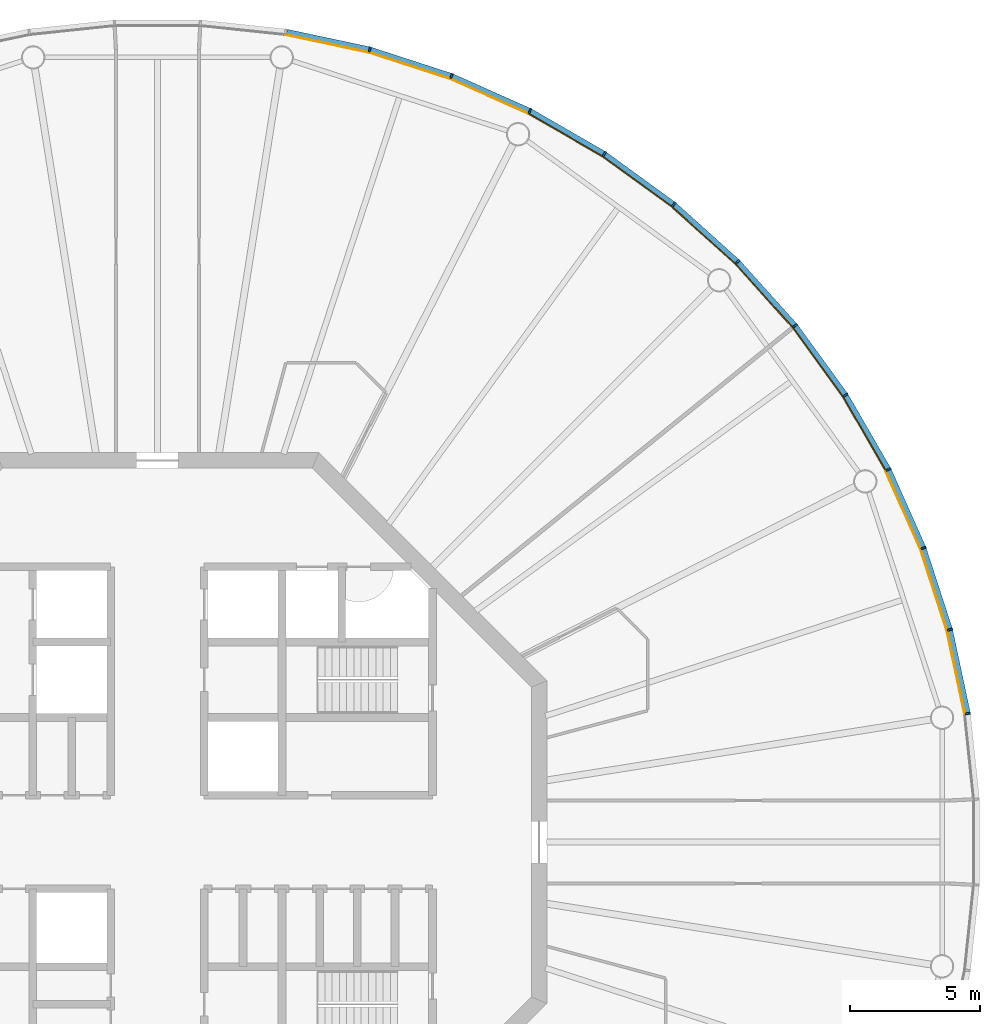
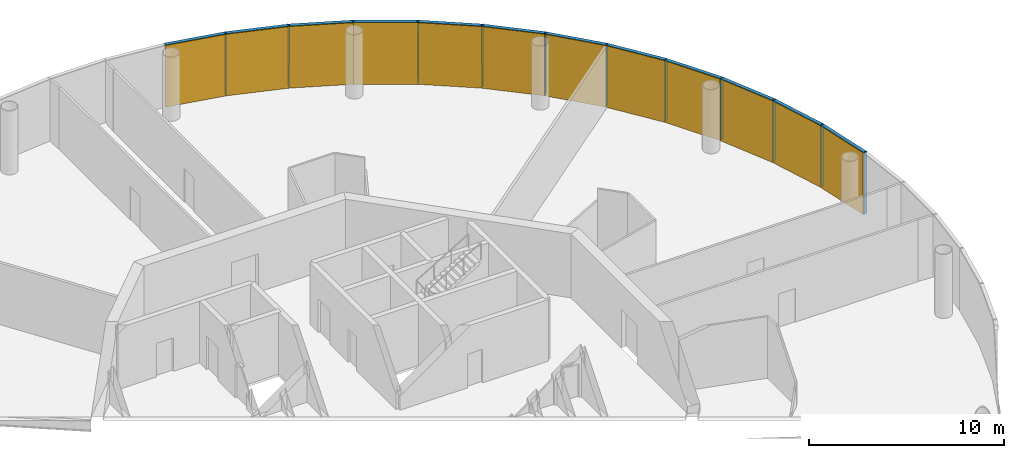
# One storey, part 12 of 13: 24 members, 4 curtain walls.
"""IFC4 building model written with IfcOpenShell, lengths in metres."""

from ifc_helpers import new_model, si_unit, direction, frame, origin, origin_2d, place, context, subcontext, project, spatial, polyline, rectangle, outline, extrude, material, layer, layer_set, material_profile, profile_set, type_object, element, aggregate, save


model = new_model("IFC4")

# Units and contexts
model_context = context("Model", 3, precision=1e-05, world=origin(), true_north=direction((0.0, 1.0)))
body_context = subcontext(model_context, "Body", "Model", "MODEL_VIEW")
ifc_project = project(units=[si_unit("LENGTHUNIT", "METRE"), si_unit("AREAUNIT", "SQUARE_METRE"), si_unit("VOLUMEUNIT", "CUBIC_METRE"), si_unit("PLANEANGLEUNIT", "RADIAN"), si_unit("MASSUNIT", "GRAM", prefix="KILO")], contexts=[model_context])

# Member
ifc_material_1 = material(Name="Anodised aluminium", Category="aluminium")
ifc_material_profile_1 = material_profile(ifc_material_1, rectangle(XDim=0.070068359375, YDim=0.205078125, at=origin_2d()), Name="Mullion 70 x 205 mm anodised aluminium")
ifc_profile_set_1 = profile_set([ifc_material_profile_1], Name="Anodised aluminium")
member_type_1 = type_object("IfcMemberType", Name="Mullion 70 x 205 mm anodised aluminium", PredefinedType="MULLION", material=ifc_profile_set_1)
site_placement = place(None, origin())
building_placement = place(site_placement, origin())
storey_placement = place(building_placement, frame((0.0, 0.0, 340.0)))
member_1_placement = place(storey_placement, frame((121.21337890625, 84.943603515625, 0.0), z_axis=(0.0, 0.0, 1.0), x_axis=(-0.15643446504, 0.987688340595, 0.0)))
member_1 = element("IfcMember", 1, at=member_1_placement, type_object=member_type_1, Name="MULLION L78-00", PredefinedType="MULLION", context=body_context, shape_type="SweptSolid", body=[
    extrude(rectangle(XDim=0.070068359375, YDim=0.205078125, at=origin_2d()), origin(), (0.0, 0.0, 1.0), 3.85009765625),
])

member_2_placement = place(storey_placement, frame((120.525634765625, 88.179443359375, 0.0), z_axis=(0.0, 0.0, 1.0), x_axis=(-0.258819045103, 0.965925826289, 0.0)))
member_2 = element("IfcMember", 2, at=member_2_placement, type_object=member_type_1, Name="MULLION L78-01", PredefinedType="MULLION", context=body_context, shape_type="SweptSolid", body=[
    extrude(rectangle(XDim=0.070068359375, YDim=0.205078125, at=origin_2d()), origin(), (0.0, 0.0, 1.0), 3.85009765625),
])

member_3_placement = place(storey_placement, frame((119.50341796875, 91.325439453125, 0.0), z_axis=(0.0, 0.0, 1.0), x_axis=(-0.358367949545, 0.933580426497, 0.0)))
member_3 = element("IfcMember", 3, at=member_3_placement, type_object=member_type_1, Name="MULLION L78-02", PredefinedType="MULLION", context=body_context, shape_type="SweptSolid", body=[
    extrude(rectangle(XDim=0.070068359375, YDim=0.205078125, at=origin_2d()), origin(), (0.0, 0.0, 1.0), 3.85009765625),
])

member_4_placement = place(storey_placement, frame((118.157958984375, 94.34716796875, 0.0), z_axis=(0.0, 0.0, 1.0), x_axis=(-0.45399049974, 0.891006524188, 0.0)))
member_4 = element("IfcMember", 4, at=member_4_placement, type_object=member_type_1, Name="MULLION L78-03", PredefinedType="MULLION", context=body_context, shape_type="SweptSolid", body=[
    extrude(rectangle(XDim=0.070068359375, YDim=0.205078125, at=origin_2d()), origin(), (0.0, 0.0, 1.0), 3.85009765625),
])

member_5_placement = place(storey_placement, frame((116.504150390625, 97.2119140625, 0.0), z_axis=(0.0, 0.0, 1.0), x_axis=(-0.544639035015, 0.838670567945, 0.0)))
member_5 = element("IfcMember", 5, at=member_5_placement, type_object=member_type_1, Name="MULLION L78-04", PredefinedType="MULLION", context=body_context, shape_type="SweptSolid", body=[
    extrude(rectangle(XDim=0.070068359375, YDim=0.205078125, at=origin_2d()), origin(), (0.0, 0.0, 1.0), 3.85009765625),
])

member_6_placement = place(storey_placement, frame((114.559814453125, 99.88818359375, 0.0), z_axis=(0.0, 0.0, 1.0), x_axis=(-0.62932039105, 0.777145961457, 0.0)))
member_6 = element("IfcMember", 6, at=member_6_placement, type_object=member_type_1, Name="MULLION L78-05", PredefinedType="MULLION", context=body_context, shape_type="SweptSolid", body=[
    extrude(rectangle(XDim=0.070068359375, YDim=0.205078125, at=origin_2d()), origin(), (0.0, 0.0, 1.0), 3.85009765625),
])

member_7_placement = place(storey_placement, frame((112.346435546875, 102.346435546875, 0.0), z_axis=(0.0, 0.0, 1.0), x_axis=(-0.707106781187, 0.707106781187, 0.0)))
member_7 = element("IfcMember", 7, at=member_7_placement, type_object=member_type_1, Name="MULLION L78-06", PredefinedType="MULLION", context=body_context, shape_type="SweptSolid", body=[
    extrude(rectangle(XDim=0.070068359375, YDim=0.205078125, at=origin_2d()), origin(), (0.0, 0.0, 1.0), 3.85009765625),
])

member_8_placement = place(storey_placement, frame((109.88818359375, 104.559814453125, 0.0), z_axis=(0.0, 0.0, 1.0), x_axis=(-0.777145961457, 0.62932039105, 0.0)))
member_8 = element("IfcMember", 8, at=member_8_placement, type_object=member_type_1, Name="MULLION L78-07", PredefinedType="MULLION", context=body_context, shape_type="SweptSolid", body=[
    extrude(rectangle(XDim=0.070068359375, YDim=0.205078125, at=origin_2d()), origin(), (0.0, 0.0, 1.0), 3.85009765625),
])

member_9_placement = place(storey_placement, frame((107.2119140625, 106.504150390625, 0.0), z_axis=(0.0, 0.0, 1.0), x_axis=(-0.838670567945, 0.544639035015, 0.0)))
member_9 = element("IfcMember", 9, at=member_9_placement, type_object=member_type_1, Name="MULLION L78-08", PredefinedType="MULLION", context=body_context, shape_type="SweptSolid", body=[
    extrude(rectangle(XDim=0.070068359375, YDim=0.205078125, at=origin_2d()), origin(), (0.0, 0.0, 1.0), 3.85009765625),
])

member_10_placement = place(storey_placement, frame((104.34716796875, 108.157958984375, 0.0), z_axis=(0.0, 0.0, 1.0), x_axis=(-0.891006524188, 0.45399049974, 0.0)))
member_10 = element("IfcMember", 10, at=member_10_placement, type_object=member_type_1, Name="MULLION L78-09", PredefinedType="MULLION", context=body_context, shape_type="SweptSolid", body=[
    extrude(rectangle(XDim=0.070068359375, YDim=0.205078125, at=origin_2d()), origin(), (0.0, 0.0, 1.0), 3.85009765625),
])

member_11_placement = place(storey_placement, frame((101.325439453125, 109.50341796875, 0.0), z_axis=(0.0, 0.0, 1.0), x_axis=(-0.933580426497, 0.358367949545, 0.0)))
member_11 = element("IfcMember", 11, at=member_11_placement, type_object=member_type_1, Name="MULLION L78-10", PredefinedType="MULLION", context=body_context, shape_type="SweptSolid", body=[
    extrude(rectangle(XDim=0.070068359375, YDim=0.205078125, at=origin_2d()), origin(), (0.0, 0.0, 1.0), 3.85009765625),
])

member_12_placement = place(storey_placement, frame((98.179443359375, 110.525634765625, 0.0), z_axis=(0.0, 0.0, 1.0), x_axis=(-0.965925826289, 0.258819045103, 0.0)))
member_12 = element("IfcMember", 12, at=member_12_placement, type_object=member_type_1, Name="MULLION L78-11", PredefinedType="MULLION", context=body_context, shape_type="SweptSolid", body=[
    extrude(rectangle(XDim=0.070068359375, YDim=0.205078125, at=origin_2d()), origin(), (0.0, 0.0, 1.0), 3.85009765625),
])

ifc_material_2 = material(Name="Anodised aluminium", Category="aluminium")
ifc_material_profile_2 = material_profile(ifc_material_2, rectangle(XDim=0.205078125, YDim=0.195068359375, at=origin_2d()), Name="Transom 195 x 205 mm anodised aluminium")
ifc_profile_set_2 = profile_set([ifc_material_profile_2], Name="Anodised aluminium")
member_type_2 = type_object("IfcMemberType", Name="Transom 195 x 205 mm anodised aluminium", PredefinedType="USERDEFINED", material=ifc_profile_set_2)
member_13_placement = place(storey_placement, frame((121.205078125, 84.983154296875, 3.75244140625), z_axis=(-0.207885898771, 0.978153082647, 0.0), x_axis=(-0.978153082647, -0.207885898771, 0.0)))
member_13 = element("IfcMember", 13, at=member_13_placement, type_object=member_type_2, Name="TRANSOM L78-00", ObjectType="TRANSOM", PredefinedType="USERDEFINED", context=body_context, shape_type="SweptSolid", body=[
    extrude(rectangle(XDim=0.205078125, YDim=0.195068359375, at=origin_2d()), origin(), (0.0, 0.0, 1.0), 3.227294921875),
])

member_14_placement = place(storey_placement, frame((120.513427734375, 88.2177734375, 3.75244140625), z_axis=(-0.309046726844, 0.951046855117, 0.0), x_axis=(-0.951046855117, -0.309046726844, 0.0)))
member_14 = element("IfcMember", 14, at=member_14_placement, type_object=member_type_2, Name="TRANSOM L78-01", ObjectType="TRANSOM", PredefinedType="USERDEFINED", context=body_context, shape_type="SweptSolid", body=[
    extrude(rectangle(XDim=0.205078125, YDim=0.195068359375, at=origin_2d()), origin(), (0.0, 0.0, 1.0), 3.22705078125),
])

member_15_placement = place(storey_placement, frame((119.4873046875, 91.3623046875, 3.75244140625), z_axis=(-0.406791170024, 0.913521178731, 0.0), x_axis=(-0.913521178731, -0.406791170024, 0.0)))
member_15 = element("IfcMember", 15, at=member_15_placement, type_object=member_type_2, Name="TRANSOM L78-02", ObjectType="TRANSOM", PredefinedType="USERDEFINED", context=body_context, shape_type="SweptSolid", body=[
    extrude(rectangle(XDim=0.205078125, YDim=0.195068359375, at=origin_2d()), origin(), (0.0, 0.0, 1.0), 3.22705078125),
])

member_16_placement = place(storey_placement, frame((118.137939453125, 94.38232421875, 3.75244140625), z_axis=(-0.500004055213, 0.866023062494, 0.0), x_axis=(-0.866023062494, -0.500004055213, 0.0)))
member_16 = element("IfcMember", 16, at=member_16_placement, type_object=member_type_2, Name="TRANSOM L78-03", ObjectType="TRANSOM", PredefinedType="USERDEFINED", context=body_context, shape_type="SweptSolid", body=[
    extrude(rectangle(XDim=0.205078125, YDim=0.195068359375, at=origin_2d()), origin(), (0.0, 0.0, 1.0), 3.22705078125),
])

member_17_placement = place(storey_placement, frame((116.48046875, 97.24462890625, 3.75244140625), z_axis=(-0.587802790201, 0.809004252048, 0.0), x_axis=(-0.809004252048, -0.587802790201, 0.0)))
member_17 = element("IfcMember", 17, at=member_17_placement, type_object=member_type_2, Name="TRANSOM L78-04", ObjectType="TRANSOM", PredefinedType="USERDEFINED", context=body_context, shape_type="SweptSolid", body=[
    extrude(rectangle(XDim=0.205078125, YDim=0.195068359375, at=origin_2d()), origin(), (0.0, 0.0, 1.0), 3.227294921875),
])

member_18_placement = place(storey_placement, frame((114.532958984375, 99.918212890625, 3.75244140625), z_axis=(-0.669144438484, 0.743132370743, 0.0), x_axis=(-0.743132370743, -0.669144438484, 0.0)))
member_18 = element("IfcMember", 18, at=member_18_placement, type_object=member_type_2, Name="TRANSOM L78-05", ObjectType="TRANSOM", PredefinedType="USERDEFINED", context=body_context, shape_type="SweptSolid", body=[
    extrude(rectangle(XDim=0.205078125, YDim=0.195068359375, at=origin_2d()), origin(), (0.0, 0.0, 1.0), 3.22705078125),
])

member_19_placement = place(storey_placement, frame((112.31640625, 102.37353515625, 3.75244140625), z_axis=(-0.743132370743, 0.669144438484, 0.0), x_axis=(-0.669144438484, -0.743132370743, 0.0)))
member_19 = element("IfcMember", 19, at=member_19_placement, type_object=member_type_2, Name="TRANSOM L78-06", ObjectType="TRANSOM", PredefinedType="USERDEFINED", context=body_context, shape_type="SweptSolid", body=[
    extrude(rectangle(XDim=0.205078125, YDim=0.195068359375, at=origin_2d()), origin(), (0.0, 0.0, 1.0), 3.22705078125),
])

member_20_placement = place(storey_placement, frame((109.85546875, 104.58349609375, 3.75244140625), z_axis=(-0.809004252048, 0.587802790201, 0.0), x_axis=(-0.587802790201, -0.809004252048, 0.0)))
member_20 = element("IfcMember", 20, at=member_20_placement, type_object=member_type_2, Name="TRANSOM L78-07", ObjectType="TRANSOM", PredefinedType="USERDEFINED", context=body_context, shape_type="SweptSolid", body=[
    extrude(rectangle(XDim=0.205078125, YDim=0.195068359375, at=origin_2d()), origin(), (0.0, 0.0, 1.0), 3.227294921875),
])

member_21_placement = place(storey_placement, frame((107.177001953125, 106.5244140625, 3.75244140625), z_axis=(-0.866023062494, 0.500004055213, 0.0), x_axis=(-0.500004055213, -0.866023062494, 0.0)))
member_21 = element("IfcMember", 21, at=member_21_placement, type_object=member_type_2, Name="TRANSOM L78-08", ObjectType="TRANSOM", PredefinedType="USERDEFINED", context=body_context, shape_type="SweptSolid", body=[
    extrude(rectangle(XDim=0.205078125, YDim=0.195068359375, at=origin_2d()), origin(), (0.0, 0.0, 1.0), 3.22705078125),
])

member_22_placement = place(storey_placement, frame((104.310302734375, 108.174560546875, 3.75244140625), z_axis=(-0.913521178731, 0.406791170024, 0.0), x_axis=(-0.406791170024, -0.913521178731, 0.0)))
member_22 = element("IfcMember", 22, at=member_22_placement, type_object=member_type_2, Name="TRANSOM L78-09", ObjectType="TRANSOM", PredefinedType="USERDEFINED", context=body_context, shape_type="SweptSolid", body=[
    extrude(rectangle(XDim=0.205078125, YDim=0.195068359375, at=origin_2d()), origin(), (0.0, 0.0, 1.0), 3.22705078125),
])

member_23_placement = place(storey_placement, frame((101.286865234375, 109.51611328125, 3.75244140625), z_axis=(-0.951046855117, 0.309046726844, 0.0), x_axis=(-0.309046726844, -0.951046855117, 0.0)))
member_23 = element("IfcMember", 23, at=member_23_placement, type_object=member_type_2, Name="TRANSOM L78-10", ObjectType="TRANSOM", PredefinedType="USERDEFINED", context=body_context, shape_type="SweptSolid", body=[
    extrude(rectangle(XDim=0.205078125, YDim=0.195068359375, at=origin_2d()), origin(), (0.0, 0.0, 1.0), 3.22705078125),
])

member_24_placement = place(storey_placement, frame((98.139892578125, 110.5341796875, 3.75244140625), z_axis=(-0.978153082647, 0.207885898771, 0.0), x_axis=(-0.207885898771, -0.978153082647, 0.0)))
member_24 = element("IfcMember", 24, at=member_24_placement, type_object=member_type_2, Name="TRANSOM L78-11", ObjectType="TRANSOM", PredefinedType="USERDEFINED", context=body_context, shape_type="SweptSolid", body=[
    extrude(rectangle(XDim=0.205078125, YDim=0.195068359375, at=origin_2d()), origin(), (0.0, 0.0, 1.0), 3.227294921875),
])

# Site, building, storey
site = spatial("IfcSite", under=ifc_project, at=site_placement, CompositionType="ELEMENT")
building = spatial("IfcBuilding", under=site, at=building_placement, Name="Entoto Ring Tower", CompositionType="ELEMENT")
storey = spatial("IfcBuildingStorey", under=building, at=storey_placement, Name="L78", CompositionType="ELEMENT", Elevation=340.0)

# Curtain wall
ifc_material_3 = material(Name="Clear low-iron glass", Category="glass")
ifc_layer = layer(ifc_material_3, 0.035888671875)
ifc_layer_set = layer_set([ifc_layer], Name="Clear low-iron glass")
curtain_wall_type = type_object("IfcCurtainWallType", Name="Curtain wall system CW6 glazing 36 mm", PredefinedType="NOTDEFINED", material=ifc_layer_set)
curtain_wall_1_placement = place(storey_placement, origin())
curtain_wall_1 = element("IfcCurtainWall", 25, at=curtain_wall_1_placement, inside=storey, type_object=curtain_wall_type, Name="CW6 L78-01", PredefinedType="NOTDEFINED", context=body_context, shape_type="SweptSolid", body=[
    extrude(outline(polyline([(121.1123046875, 84.927734375), (120.4267578125, 88.15283203125), (119.40771484375, 91.28857421875), (118.066650390625, 94.30078125), (118.03466796875, 94.284423828125), (119.3740234375, 91.275634765625), (120.391845703125, 88.1435546875), (121.07666015625, 84.922119140625), (121.1123046875, 84.927734375)])), origin(), (0.0, 0.0, 1.0), 3.85009765625),
])

aggregate(curtain_wall_1, [member_1, member_2, member_3, member_13, member_14, member_15])

curtain_wall_2_placement = place(storey_placement, origin())
curtain_wall_2 = element("IfcCurtainWall", 26, at=curtain_wall_2_placement, inside=storey, type_object=curtain_wall_type, Name="CW6 L78-02", PredefinedType="NOTDEFINED", context=body_context, shape_type="SweptSolid", body=[
    extrude(outline(polyline([(118.066650390625, 94.30078125), (116.418212890625, 97.15625), (114.47998046875, 99.823486328125), (112.27392578125, 102.27392578125), (112.248291015625, 102.248291015625), (114.4521484375, 99.801025390625), (116.387939453125, 97.136474609375), (118.03466796875, 94.284423828125), (118.066650390625, 94.30078125)])), origin(), (0.0, 0.0, 1.0), 3.85009765625),
])

aggregate(curtain_wall_2, [member_4, member_5, member_6, member_16, member_17, member_18])

curtain_wall_3_placement = place(storey_placement, origin())
curtain_wall_3 = element("IfcCurtainWall", 27, at=curtain_wall_3_placement, inside=storey, type_object=curtain_wall_type, Name="CW6 L78-03", PredefinedType="NOTDEFINED", context=body_context, shape_type="SweptSolid", body=[
    extrude(outline(polyline([(112.27392578125, 102.27392578125), (109.823486328125, 104.47998046875), (107.15625, 106.418212890625), (104.30078125, 108.066650390625), (104.284423828125, 108.03466796875), (107.136474609375, 106.387939453125), (109.801025390625, 104.4521484375), (112.248291015625, 102.248291015625), (112.27392578125, 102.27392578125)])), origin(), (0.0, 0.0, 1.0), 3.85009765625),
])

aggregate(curtain_wall_3, [member_7, member_8, member_9, member_19, member_20, member_21])

curtain_wall_4_placement = place(storey_placement, origin())
curtain_wall_4 = element("IfcCurtainWall", 28, at=curtain_wall_4_placement, inside=storey, type_object=curtain_wall_type, Name="CW6 L78-04", PredefinedType="NOTDEFINED", context=body_context, shape_type="SweptSolid", body=[
    extrude(outline(polyline([(104.30078125, 108.066650390625), (101.28857421875, 109.40771484375), (98.15283203125, 110.4267578125), (94.927734375, 111.1123046875), (94.922119140625, 111.07666015625), (98.1435546875, 110.391845703125), (101.275634765625, 109.3740234375), (104.284423828125, 108.03466796875), (104.30078125, 108.066650390625)])), origin(), (0.0, 0.0, 1.0), 3.85009765625),
])

aggregate(curtain_wall_4, [member_10, member_11, member_12, member_22, member_23, member_24])

save(model, "model.ifc")
